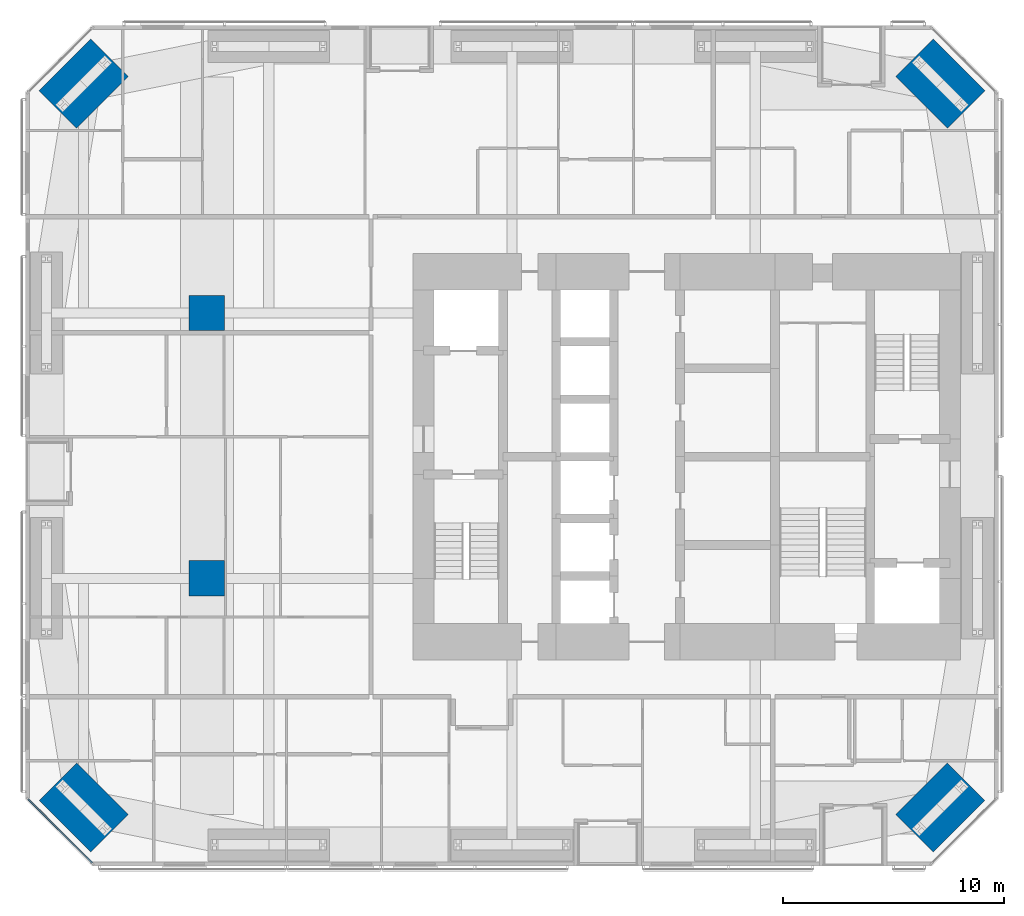
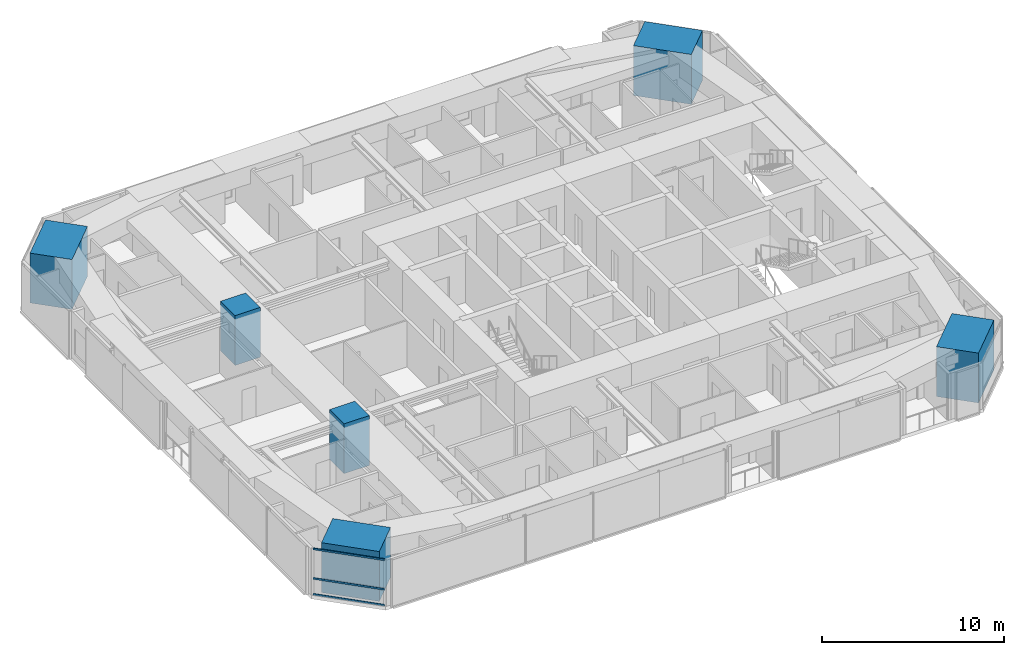
# One storey, part 1 of 24: 6 columns, 3 members, 1 element without a shape of its own.
"""IFC4 building model written with IfcOpenShell, lengths in metres."""

from ifc_helpers import new_model, si_unit, direction, frame, origin, origin_2d, place, context, subcontext, project, spatial, rectangle, extrude, material, material_profile, profile_set, type_object, element, aggregate, save


model = new_model("IFC4")

# Units and contexts
model_context = context("Model", 3, precision=1e-05, world=origin(), true_north=direction((0.0, 1.0)))
body_context = subcontext(model_context, "Body", "Model", "MODEL_VIEW")
ifc_project = project(units=[si_unit("LENGTHUNIT", "METRE"), si_unit("AREAUNIT", "SQUARE_METRE"), si_unit("VOLUMEUNIT", "CUBIC_METRE"), si_unit("PLANEANGLEUNIT", "RADIAN"), si_unit("MASSUNIT", "GRAM", prefix="KILO")], contexts=[model_context])

# Site, building, storey
site_placement = place(None, origin())
site = spatial("IfcSite", under=ifc_project, at=site_placement, CompositionType="ELEMENT")
building_placement = place(site_placement, origin())
building = spatial("IfcBuilding", under=site, at=building_placement, Name="Jalousie Tower", CompositionType="ELEMENT")
storey_placement = place(building_placement, frame((0.0, 0.0, 61.199951171875)))
storey = spatial("IfcBuildingStorey", under=building, at=storey_placement, Name="L16", CompositionType="ELEMENT", Elevation=61.199951171875)

# Columns
ifc_material_1 = material(Name="Concrete f'c 120 MPa", Category="concrete")
ifc_material_profile_1 = material_profile(ifc_material_1, rectangle(XDim=1.60009765625, YDim=1.60009765625, at=origin_2d()), Name="RC 1600x1600")
ifc_profile_set_1 = profile_set([ifc_material_profile_1], Name="Concrete f'c 120 MPa")
column_type_1 = type_object("IfcColumnType", Name="RC COLUMN 1600x1600", PredefinedType="COLUMN", material=ifc_profile_set_1)
for number, where, z_axis, x_axis, name in (
    (1, (10.199951171875, 13.0, 0.0), (0.0, 0.0, 1.0), (1.0, 0.0, 0.0), "Interior column IA1 L16"),
    (2, (10.199951171875, 25.0, 0.0), (0.0, 0.0, 1.0), (1.0, 0.0, 0.0), "Interior column IA2 L16"),
):
    element("IfcColumn", number, at=place(storey_placement, frame(where, z_axis=z_axis, x_axis=x_axis)), inside=storey, type_object=column_type_1, Name=name, PredefinedType="COLUMN", context=body_context, shape_type="SweptSolid", body=[
        extrude(rectangle(XDim=1.60009765625, YDim=1.60009765625, at=origin_2d()), origin(), (0.0, 0.0, 1.0), 3.35009765625),
    ])
ifc_material_2 = material(Name="Concrete f'c 120 MPa", Category="concrete")
ifc_material_profile_2 = material_profile(ifc_material_2, rectangle(XDim=2.39990234375, YDim=3.300048828125, at=origin_2d()), Name="RC 2400x3300")
ifc_profile_set_2 = profile_set([ifc_material_profile_2], Name="Concrete f'c 120 MPa")
column_type_2 = type_object("IfcColumnType", Name="RC CORNER COLUMN 2400x3300", PredefinedType="COLUMN", material=ifc_profile_set_2)
for number, where, z_axis, x_axis, name in (
    (3, (4.63134765625, 2.63134765625, 0.0), (0.0, 0.0, 1.0), (0.707106781187, 0.707106781187, 0.0), "Corner column 01 L16"),
    (4, (43.36865234375, 2.63134765625, 0.0), (0.0, 0.0, 1.0), (-0.707106781187, 0.707106781187, 0.0), "Corner column 05 L16"),
    (5, (43.36865234375, 35.36865234375, 0.0), (0.0, 0.0, 1.0), (-0.707106781187, -0.707106781187, 0.0), "Corner column 08 L16"),
    (6, (4.63134765625, 35.36865234375, 0.0), (0.0, 0.0, 1.0), (0.707106781187, -0.707106781187, 0.0), "Corner column 12 L16"),
):
    element("IfcColumn", number, at=place(storey_placement, frame(where, z_axis=z_axis, x_axis=x_axis)), inside=storey, type_object=column_type_2, Name=name, PredefinedType="COLUMN", context=body_context, shape_type="SweptSolid", body=[
        extrude(rectangle(XDim=2.39990234375, YDim=3.300048828125, at=origin_2d()), origin(), (0.0, 0.0, 1.0), 3.35009765625),
    ])

# Curtain wall, members
ifc_material_3 = material(Name="Aluminium curtain wall", Category="aluminium")
curtain_wall_type = type_object("IfcCurtainWallType", Name="CORNER WINDOW WALL", PredefinedType="USERDEFINED", material=ifc_material_3)
curtain_wall_placement = place(storey_placement, origin())
curtain_wall = element("IfcCurtainWall", 7, at=curtain_wall_placement, inside=storey, type_object=curtain_wall_type, Name="Corner Window Wall L16 8", ObjectType="CORNER WINDOW WALL", PredefinedType="USERDEFINED")
ifc_material_4 = material(Name="Aluminium transom", Category="aluminium")
ifc_material_profile_3 = material_profile(ifc_material_4, rectangle(XDim=0.06005859375, YDim=0.1201171875, at=origin_2d()), Name="TRANSOM 60x120")
ifc_profile_set_3 = profile_set([ifc_material_profile_3], Name="Aluminium transom")
member_type = type_object("IfcMemberType", Name="CORNER WINDOW WALL TRANSOM", PredefinedType="USERDEFINED", material=ifc_profile_set_3)
member_1_placement = place(storey_placement, frame((2.1298828125, 3.0087890625, 0.030029296875), z_axis=(0.707106781187, -0.707106781187, 0.0), x_axis=(0.707106781187, 0.707106781187, 0.0)))
member_1 = element("IfcMember", 8, at=member_1_placement, type_object=member_type, Name="CW-C transom 1.1", ObjectType="TRANSOM", PredefinedType="USERDEFINED", context=body_context, shape_type="SweptSolid", body=[
    extrude(rectangle(XDim=0.06005859375, YDim=0.1201171875, at=origin_2d()), origin(), (0.0, 0.0, 1.0), 4.0712890625),
])
member_2_placement = place(storey_placement, frame((2.1298828125, 3.0087890625, 1.10009765625), z_axis=(0.707106781187, -0.707106781187, 0.0), x_axis=(0.707106781187, 0.707106781187, 0.0)))
member_2 = element("IfcMember", 9, at=member_2_placement, type_object=member_type, Name="CW-C transom 1.2", ObjectType="TRANSOM", PredefinedType="USERDEFINED", context=body_context, shape_type="SweptSolid", body=[
    extrude(rectangle(XDim=0.06005859375, YDim=0.1201171875, at=origin_2d()), origin(), (0.0, 0.0, 1.0), 4.0712890625),
])
member_3_placement = place(storey_placement, frame((2.1298828125, 3.0087890625, 3.080078125), z_axis=(0.707106781187, -0.707106781187, 0.0), x_axis=(0.707106781187, 0.707106781187, 0.0)))
member_3 = element("IfcMember", 10, at=member_3_placement, type_object=member_type, Name="CW-C transom 1.3", ObjectType="TRANSOM", PredefinedType="USERDEFINED", context=body_context, shape_type="SweptSolid", body=[
    extrude(rectangle(XDim=0.06005859375, YDim=0.1201171875, at=origin_2d()), origin(), (0.0, 0.0, 1.0), 4.0712890625),
])
aggregate(curtain_wall, [member_1, member_2, member_3])

save(model, "model.ifc")
